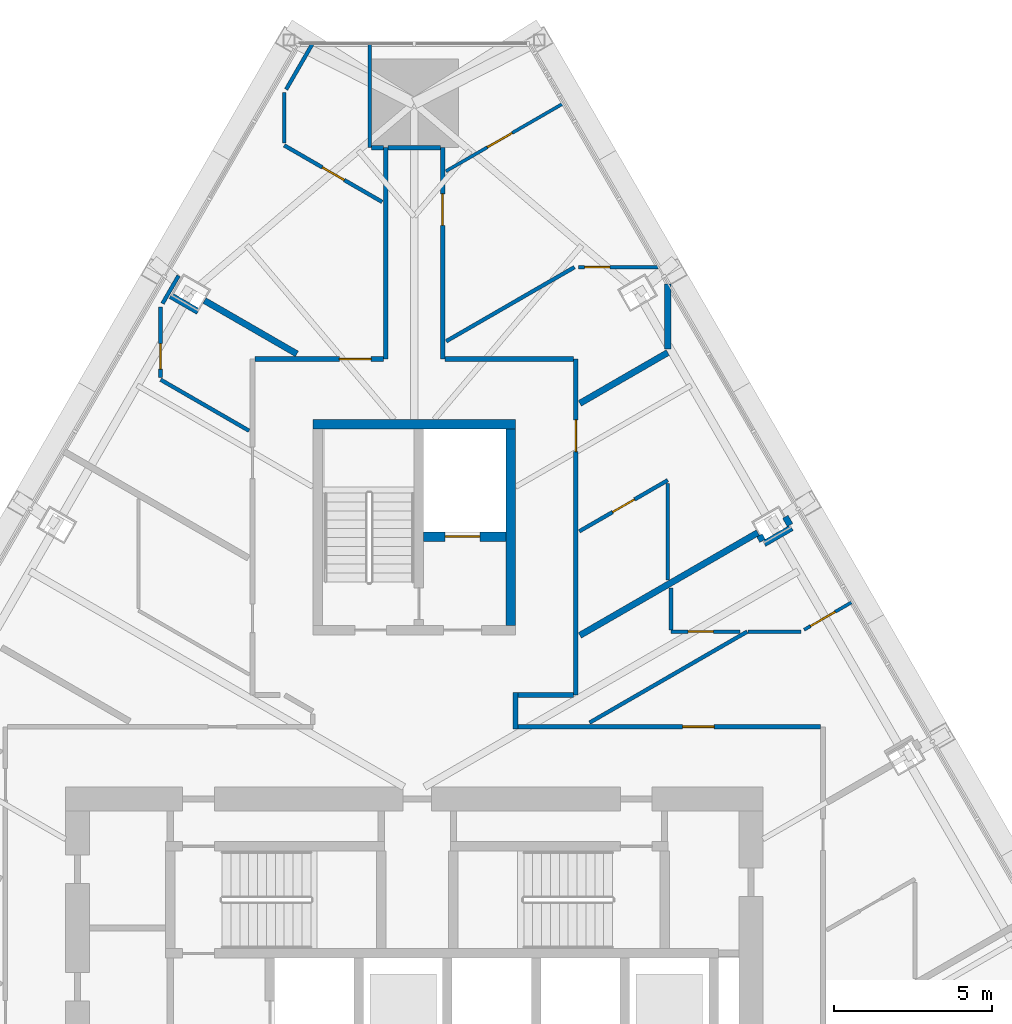
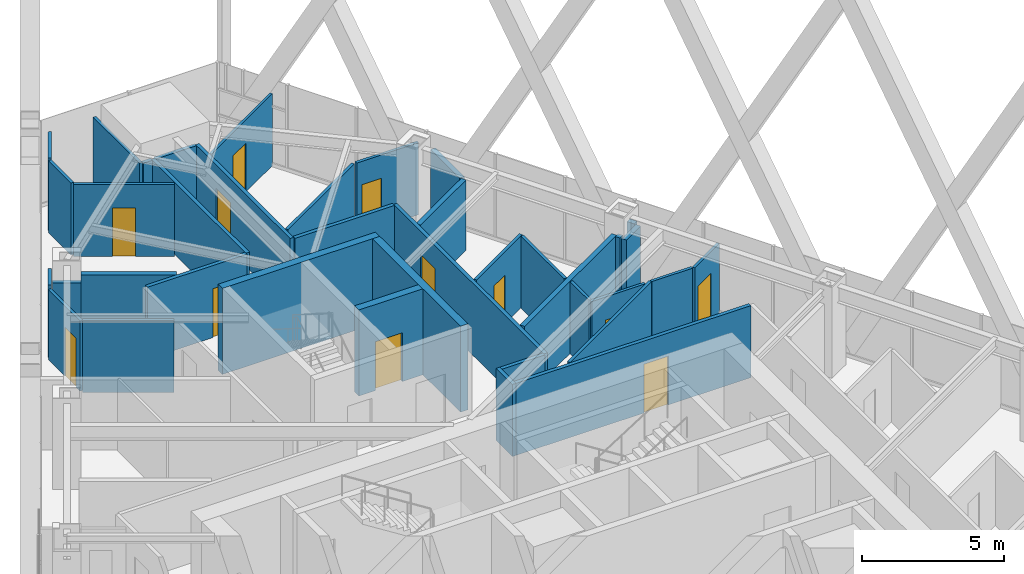
# One storey, part 16 of 19: 38 walls, 12 doors, 12 openings.
"""IFC4 building model written with IfcOpenShell, lengths in metres."""

from ifc_helpers import new_model, si_unit, direction, frame, frame_2d, origin, place, context, subcontext, project, spatial, rectangle, extrude, material, layer, layer_set, type_object, element, fill, save


model = new_model("IFC4")

# Units and contexts
model_context = context("Model", 3, precision=1e-05, world=origin(), true_north=direction((0.0, 1.0)))
body_context = subcontext(model_context, "Body", "Model", "MODEL_VIEW")
ifc_project = project(units=[si_unit("LENGTHUNIT", "METRE"), si_unit("AREAUNIT", "SQUARE_METRE"), si_unit("VOLUMEUNIT", "CUBIC_METRE"), si_unit("PLANEANGLEUNIT", "RADIAN"), si_unit("MASSUNIT", "GRAM", prefix="KILO")], contexts=[model_context])

# Site, building, storey
site_placement = place(None, origin())
site = spatial("IfcSite", under=ifc_project, at=site_placement, CompositionType="ELEMENT")
building_placement = place(site_placement, origin())
building = spatial("IfcBuilding", under=site, at=building_placement, Name="Firuza Gate Tower and Library", CompositionType="ELEMENT")
storey_placement = place(building_placement, frame((0.0, 0.0, 218.199951171875)))
storey = spatial("IfcBuildingStorey", under=building, at=storey_placement, Name="L51", CompositionType="ELEMENT", Elevation=218.199951171875)

# Walls
ifc_material_1 = material(Name="Concrete C80/95", Category="concrete")
ifc_layer_1 = layer(ifc_material_1, 0.300048828125)
ifc_layer_set_1 = layer_set([ifc_layer_1], Name="Core wall 300 C80/95")
wall_type_1 = type_object("IfcWallType", Name="Core wall 300 C80/95", PredefinedType="SHEAR", material=ifc_layer_set_1)
wall_1_placement = place(storey_placement, frame((71.800048828125, 94.449951171875, 0.0), z_axis=(0.0, 0.0, 1.0), x_axis=(1.0, 0.0, 0.0)))
element("IfcWall", 1, at=wall_1_placement, inside=storey, type_object=wall_type_1, Name="Core wall L51 28", PredefinedType="SHEAR", context=body_context, shape_type="SweptSolid", body=[
    extrude(rectangle(XDim=6.39990234375, YDim=0.300048828125, at=frame_2d((3.199951171875, 0.0))), origin(), (0.0, 0.0, 1.0), 3.699951171875),
])
wall_2_placement = place(storey_placement, frame((78.050048828125, 88.10009765625, 0.0), z_axis=(0.0, 0.0, 1.0), x_axis=(0.0, 1.0, 0.0)))
element("IfcWall", 2, at=wall_2_placement, inside=storey, type_object=wall_type_1, Name="Core wall L51 30", PredefinedType="SHEAR", context=body_context, shape_type="SweptSolid", body=[
    extrude(rectangle(XDim=6.199951171875, YDim=0.300048828125, at=frame_2d((3.10009765625, 0.0))), origin(), (0.0, 0.0, 1.0), 3.699951171875),
])

# Wall, opening, door
wall_3_placement = place(storey_placement, frame((75.300048828125, 90.89990234375, 0.0), z_axis=(0.0, 0.0, 1.0), x_axis=(1.0, 0.0, 0.0)))
wall_3 = element("IfcWall", 3, at=wall_3_placement, inside=storey, type_object=wall_type_1, Name="Core wall L51 31", PredefinedType="SHEAR", context=body_context, shape_type="SweptSolid", body=[
    extrude(rectangle(XDim=2.599853515625, YDim=0.300048828125, at=frame_2d((1.2998046875, 0.0))), origin(), (0.0, 0.0, 1.0), 3.699951171875),
])
opening_1_placement = place(wall_3_placement, frame((0.675048828125, 0.0, 0.0)))
opening_1 = element("IfcOpeningElement", 4, at=opening_1_placement, cuts=wall_3, Name="Opening LD-SV1-L51", PredefinedType="OPENING", context=body_context, shape_type="SweptSolid", body=[
    extrude(rectangle(XDim=1.10009765625, YDim=2.10009765625, at=frame_2d((0.550048828125, 1.050048828125))), frame((0.0, 0.16015625, 0.0), z_axis=(0.0, -1.0, 0.0), x_axis=(1.0, 0.0, 0.0)), (0.0, 0.0, 1.0), 0.320068359375),
])
ifc_material_2 = material(Name="Stainless steel", Category="steel")
door_type_1 = type_object("IfcDoorType", Name="Lift landing door 1100x2100", OperationType="DOUBLE_DOOR_SLIDING", PredefinedType="DOOR", material=ifc_material_2)
door_1_placement = place(opening_1_placement, origin())
door_1 = element("IfcDoor", 5, at=door_1_placement, inside=storey, type_object=door_type_1, Name="Landing door SV1 L51", OperationType="DOUBLE_DOOR_SLIDING", OverallHeight=2.10009765625, OverallWidth=1.10009765625, PredefinedType="DOOR", context=body_context, shape_type="SweptSolid", body=[
    extrude(rectangle(XDim=1.10009765625, YDim=2.10009765625, at=frame_2d((0.550048828125, 1.050048828125))), frame((0.0, 0.02490234375, 0.0), z_axis=(0.0, -1.0, 0.0), x_axis=(1.0, 0.0, 0.0)), (0.0, 0.0, 1.0), 0.050048828125),
])
fill(opening_1, door_1)

ifc_material_3 = material(Name="Gypsum board partition")
ifc_layer_2 = layer(ifc_material_3, 0.14990234375)
ifc_layer_set_2 = layer_set([ifc_layer_2], Name="Corridor wall 150 double board on steel studs")
wall_type_2 = type_object("IfcWallType", Name="Corridor wall 150 double board on steel studs", PredefinedType="PARTITIONING", material=ifc_layer_set_2)
wall_4_placement = place(storey_placement, frame((78.27490234375, 84.89990234375, 0.0), z_axis=(0.0, 0.0, 1.0), x_axis=(1.0, 0.0, 0.0)))
wall_4 = element("IfcWall", 6, at=wall_4_placement, inside=storey, type_object=wall_type_2, Name="f:L51:w010", PredefinedType="PARTITIONING", context=body_context, shape_type="SweptSolid", body=[
    extrude(rectangle(XDim=9.550048828125, YDim=0.14990234375, at=frame_2d((4.77490234375, 0.0))), origin(), (0.0, 0.0, 1.0), 3.09716796875),
])
opening_2_placement = place(wall_4_placement, frame((5.190673828125, 0.0, 0.0)))
opening_2 = element("IfcOpeningElement", 7, at=opening_2_placement, cuts=wall_4, Name="Opening L51-12", PredefinedType="OPENING", context=body_context, shape_type="SweptSolid", body=[
    extrude(rectangle(XDim=1.0, YDim=2.10009765625, at=frame_2d((0.5, 1.050048828125))), frame((0.0, 0.0849609375, 0.0), z_axis=(0.0, -1.0, 0.0), x_axis=(1.0, 0.0, 0.0)), (0.0, 0.0, 1.0), 0.169921875),
])
ifc_material_4 = material(Name="Steel door and timber leaf", Category="steel")
door_type_2 = type_object("IfcDoorType", Name="Fire door 1000 x 2100 steel frame, timber leaf", OperationType="NOTDEFINED", PredefinedType="DOOR", material=ifc_material_4)
door_2_placement = place(opening_2_placement, origin())
door_2 = element("IfcDoor", 8, at=door_2_placement, inside=storey, type_object=door_type_2, Name="f:L51:d012", OperationType="SINGLE_SWING_RIGHT", OverallHeight=2.10009765625, OverallWidth=1.0, PredefinedType="DOOR", context=body_context, shape_type="SweptSolid", body=[
    extrude(rectangle(XDim=1.0, YDim=2.10009765625, at=frame_2d((0.5, 1.050048828125))), frame((0.0, 0.02490234375, 0.0), z_axis=(0.0, -1.0, 0.0), x_axis=(1.0, 0.0, 0.0)), (0.0, 0.0, 1.0), 0.050048828125),
])
fill(opening_2, door_2)

# Wall
wall_5_placement = place(storey_placement, frame((78.27490234375, 85.89990234375, 0.0), z_axis=(0.0, 0.0, 1.0), x_axis=(1.0, 0.0, 0.0)))
element("IfcWall", 9, at=wall_5_placement, inside=storey, type_object=wall_type_2, Name="f:L51:w012", PredefinedType="PARTITIONING", context=body_context, shape_type="SweptSolid", body=[
    extrude(rectangle(XDim=1.75, YDim=0.14990234375, at=frame_2d((0.875, 0.0))), origin(), (0.0, 0.0, 1.0), 3.09716796875),
])

# Wall, opening, door
wall_6_placement = place(storey_placement, frame((69.97509765625, 96.5, 0.0), z_axis=(0.0, 0.0, 1.0), x_axis=(1.0, 0.0, 0.0)))
wall_6 = element("IfcWall", 10, at=wall_6_placement, inside=storey, type_object=wall_type_2, Name="f:L51:w014", PredefinedType="PARTITIONING", context=body_context, shape_type="SweptSolid", body=[
    extrude(rectangle(XDim=4.0498046875, YDim=0.14990234375, at=frame_2d((2.02490234375, 0.0))), origin(), (0.0, 0.0, 1.0), 3.10009765625),
])
opening_3_placement = place(wall_6_placement, frame((2.662841796875, 0.0, 0.0)))
opening_3 = element("IfcOpeningElement", 11, at=opening_3_placement, cuts=wall_6, Name="Opening L51-14", PredefinedType="OPENING", context=body_context, shape_type="SweptSolid", body=[
    extrude(rectangle(XDim=1.0, YDim=2.10009765625, at=frame_2d((0.5, 1.050048828125))), frame((0.0, 0.0849609375, 0.0), z_axis=(0.0, -1.0, 0.0), x_axis=(1.0, 0.0, 0.0)), (0.0, 0.0, 1.0), 0.169921875),
])
door_3_placement = place(opening_3_placement, origin())
door_3 = element("IfcDoor", 12, at=door_3_placement, inside=storey, type_object=door_type_2, Name="f:L51:d014", OperationType="SINGLE_SWING_RIGHT", OverallHeight=2.10009765625, OverallWidth=1.0, PredefinedType="DOOR", context=body_context, shape_type="SweptSolid", body=[
    extrude(rectangle(XDim=1.0, YDim=2.10009765625, at=frame_2d((0.5, 1.050048828125))), frame((0.0, 0.02490234375, 0.0), z_axis=(0.0, -1.0, 0.0), x_axis=(1.0, 0.0, 0.0)), (0.0, 0.0, 1.0), 0.050048828125),
])
fill(opening_3, door_3)

# Walls
wall_7_placement = place(storey_placement, frame((75.97509765625, 96.5, 0.0), z_axis=(0.0, 0.0, 1.0), x_axis=(1.0, 0.0, 0.0)))
element("IfcWall", 13, at=wall_7_placement, inside=storey, type_object=wall_type_2, Name="f:L51:w015", PredefinedType="PARTITIONING", context=body_context, shape_type="SweptSolid", body=[
    extrude(rectangle(XDim=4.04931640625, YDim=0.14990234375, at=frame_2d((2.024658203125, 0.0))), origin(), (0.0, 0.0, 1.0), 3.10009765625),
])
wall_8_placement = place(storey_placement, frame((73.660400390625, 103.169921875, 0.0), z_axis=(0.0, 0.0, 1.0), x_axis=(1.0, 0.0, 0.0)))
element("IfcWall", 14, at=wall_8_placement, inside=storey, type_object=wall_type_2, Name="f:L51:w017", PredefinedType="PARTITIONING", context=body_context, shape_type="SweptSolid", body=[
    extrude(rectangle(XDim=0.364501953125, YDim=0.14990234375, at=frame_2d((0.18212890625, 0.0))), origin(), (0.0, 0.0, 1.0), 3.10009765625),
])

# Wall, opening, door
wall_9_placement = place(storey_placement, frame((80.10009765625, 96.49951171875, 0.0), z_axis=(0.0, 0.0, 1.0), x_axis=(0.0, -1.0, 0.0)))
wall_9 = element("IfcWall", 15, at=wall_9_placement, inside=storey, type_object=wall_type_2, Name="f:L51:w063", PredefinedType="PARTITIONING", context=body_context, shape_type="SweptSolid", body=[
    extrude(rectangle(XDim=10.599609375, YDim=0.14990234375, at=frame_2d((5.2998046875, 0.0))), origin(), (0.0, 0.0, 1.0), 3.09716796875),
])
opening_4_placement = place(wall_9_placement, frame((1.920166015625, 0.0, 0.0)))
opening_4 = element("IfcOpeningElement", 16, at=opening_4_placement, cuts=wall_9, Name="Opening L51-32", PredefinedType="OPENING", context=body_context, shape_type="SweptSolid", body=[
    extrude(rectangle(XDim=1.0, YDim=2.10009765625, at=frame_2d((0.5, 1.050048828125))), frame((0.0, 0.0849609375, 0.0), z_axis=(0.0, -1.0, 0.0), x_axis=(1.0, 0.0, 0.0)), (0.0, 0.0, 1.0), 0.169921875),
])
door_4_placement = place(opening_4_placement, origin())
door_4 = element("IfcDoor", 17, at=door_4_placement, inside=storey, type_object=door_type_2, Name="f:L51:d032", OperationType="SINGLE_SWING_RIGHT", OverallHeight=2.10009765625, OverallWidth=1.0, PredefinedType="DOOR", context=body_context, shape_type="SweptSolid", body=[
    extrude(rectangle(XDim=1.0, YDim=2.10009765625, at=frame_2d((0.5, 1.050048828125))), frame((0.0, 0.02490234375, 0.0), z_axis=(0.0, -1.0, 0.0), x_axis=(1.0, 0.0, 0.0)), (0.0, 0.0, 1.0), 0.050048828125),
])
fill(opening_4, door_4)

# Wall
wall_10_placement = place(storey_placement, frame((78.199951171875, 84.824951171875, 0.0), z_axis=(0.0, 0.0, 1.0), x_axis=(0.0, 1.0, 0.0)))
element("IfcWall", 18, at=wall_10_placement, inside=storey, type_object=wall_type_2, Name="f:L51:w065", PredefinedType="PARTITIONING", context=body_context, shape_type="SweptSolid", body=[
    extrude(rectangle(XDim=1.150146484375, YDim=0.14990234375, at=frame_2d((0.5751953125, 0.0))), origin(), (0.0, 0.0, 1.0), 3.10009765625),
])

# Wall, opening, door
wall_11_placement = place(storey_placement, frame((75.89990234375, 103.169189453125, 0.0), z_axis=(0.0, 0.0, 1.0), x_axis=(0.0, -1.0, 0.0)))
wall_11 = element("IfcWall", 19, at=wall_11_placement, inside=storey, type_object=wall_type_2, Name="f:L51:w067", PredefinedType="PARTITIONING", context=body_context, shape_type="SweptSolid", body=[
    extrude(rectangle(XDim=6.669189453125, YDim=0.14990234375, at=frame_2d((3.33447265625, 0.0))), origin(), (0.0, 0.0, 1.0), 3.10009765625),
])
opening_5_placement = place(wall_11_placement, frame((1.452392578125, 0.0, 0.0)))
opening_5 = element("IfcOpeningElement", 20, at=opening_5_placement, cuts=wall_11, Name="Opening L51-33", PredefinedType="OPENING", context=body_context, shape_type="SweptSolid", body=[
    extrude(rectangle(XDim=1.0, YDim=2.10009765625, at=frame_2d((0.5, 1.050048828125))), frame((0.0, 0.0849609375, 0.0), z_axis=(0.0, -1.0, 0.0), x_axis=(1.0, 0.0, 0.0)), (0.0, 0.0, 1.0), 0.169921875),
])
door_5_placement = place(opening_5_placement, origin())
door_5 = element("IfcDoor", 21, at=door_5_placement, inside=storey, type_object=door_type_2, Name="f:L51:d033", OperationType="SINGLE_SWING_RIGHT", OverallHeight=2.10009765625, OverallWidth=1.0, PredefinedType="DOOR", context=body_context, shape_type="SweptSolid", body=[
    extrude(rectangle(XDim=1.0, YDim=2.10009765625, at=frame_2d((0.5, 1.050048828125))), frame((0.0, 0.02490234375, 0.0), z_axis=(0.0, -1.0, 0.0), x_axis=(1.0, 0.0, 0.0)), (0.0, 0.0, 1.0), 0.050048828125),
])
fill(opening_5, door_5)

# Walls
wall_12_placement = place(storey_placement, frame((74.10009765625, 96.5, 0.0), z_axis=(0.0, 0.0, 1.0), x_axis=(0.0, 1.0, 0.0)))
element("IfcWall", 22, at=wall_12_placement, inside=storey, type_object=wall_type_2, Name="f:L51:w070", PredefinedType="PARTITIONING", context=body_context, shape_type="SweptSolid", body=[
    extrude(rectangle(XDim=6.669677734375, YDim=0.14990234375, at=frame_2d((3.3349609375, 0.0))), origin(), (0.0, 0.0, 1.0), 3.10009765625),
])
wall_13_placement = place(storey_placement, frame((74.175048828125, 103.169921875, 0.0), z_axis=(0.0, 0.0, 1.0), x_axis=(1.0, 0.0, 0.0)))
element("IfcWall", 23, at=wall_13_placement, inside=storey, type_object=wall_type_2, Name="f:L51:w120", PredefinedType="PARTITIONING", context=body_context, shape_type="SweptSolid", body=[
    extrude(rectangle(XDim=1.6494140625, YDim=0.14990234375, at=frame_2d((0.82470703125, 0.0))), origin(), (0.0, 0.0, 1.0), 3.09716796875),
])
ifc_material_5 = material(Name="Gypsum board partition")
ifc_layer_3 = layer(ifc_material_5, 0.199951171875)
ifc_layer_set_3 = layer_set([ifc_layer_3], Name="Demising wall 200 acoustic double stud")
wall_type_3 = type_object("IfcWallType", Name="Demising wall 200 acoustic double stud", PredefinedType="PARTITIONING", material=ifc_layer_set_3)
wall_14_placement = place(storey_placement, frame((86.04345703125, 90.67822265625, 0.0), z_axis=(0.0, 0.0, 1.0), x_axis=(0.866039090965, 0.499976292358, 0.0)))
element("IfcWall", 24, at=wall_14_placement, inside=storey, type_object=wall_type_3, Name="f:L51:w037", PredefinedType="PARTITIONING", context=body_context, shape_type="SweptSolid", body=[
    extrude(rectangle(XDim=0.9990234375, YDim=0.199951171875, at=frame_2d((0.49951171875, 0.0))), origin(), (0.0, 0.0, 1.0), 3.02197265625),
])
wall_15_placement = place(storey_placement, frame((80.226806640625, 87.781982421875, 0.0), z_axis=(0.0, 0.0, 1.0), x_axis=(0.866028841934, 0.499994044904, 0.0)))
element("IfcWall", 25, at=wall_15_placement, inside=storey, type_object=wall_type_3, Name="f:L51:w038", PredefinedType="PARTITIONING", context=body_context, shape_type="SweptSolid", body=[
    extrude(rectangle(XDim=6.484375, YDim=0.199951171875, at=frame_2d((3.2421875, 0.0))), origin(), (0.0, 0.0, 1.0), 3.10009765625),
])
wall_16_placement = place(storey_placement, frame((80.22705078125, 95.10400390625, 0.0), z_axis=(0.0, 0.0, 1.0), x_axis=(0.866029421769, 0.499993040581, 0.0)))
element("IfcWall", 26, at=wall_16_placement, inside=storey, type_object=wall_type_3, Name="f:L51:w040", PredefinedType="PARTITIONING", context=body_context, shape_type="SweptSolid", body=[
    extrude(rectangle(XDim=3.2021484375, YDim=0.199951171875, at=frame_2d((1.60107421875, 0.0))), origin(), (0.0, 0.0, 1.0), 3.02197265625),
])
wall_17_placement = place(storey_placement, frame((83.0, 96.82080078125, 0.0), z_axis=(0.0, 0.0, 1.0), x_axis=(0.0, 1.0, 0.0)))
element("IfcWall", 27, at=wall_17_placement, inside=storey, type_object=wall_type_3, Name="f:L51:w061", PredefinedType="PARTITIONING", context=body_context, shape_type="SweptSolid", body=[
    extrude(rectangle(XDim=2.0478515625, YDim=0.199951171875, at=frame_2d((1.02392578125, 0.0))), origin(), (0.0, 0.0, 1.0), 3.02197265625),
])
wall_18_placement = place(storey_placement, frame((86.858642578125, 91.264404296875, 0.0), z_axis=(0.0, 0.0, 1.0), x_axis=(-0.500264001326, 0.865872928886, 0.0)))
element("IfcWall", 28, at=wall_18_placement, inside=storey, type_object=wall_type_3, Name="f:L51:w089", PredefinedType="PARTITIONING", context=body_context, shape_type="SweptSolid", body=[
    extrude(rectangle(XDim=0.299072265625, YDim=0.199951171875, at=frame_2d((0.1494140625, 0.0))), origin(), (0.0, 0.0, 1.0), 3.10009765625),
])
wall_19_placement = place(storey_placement, frame((85.99267578125, 90.764404296875, 0.0), z_axis=(0.0, 0.0, 1.0), x_axis=(-0.500359323436, 0.865817848887, 0.0)))
element("IfcWall", 29, at=wall_19_placement, inside=storey, type_object=wall_type_3, Name="f:L51:w091", PredefinedType="PARTITIONING", context=body_context, shape_type="SweptSolid", body=[
    extrude(rectangle(XDim=0.198974609375, YDim=0.199951171875, at=frame_2d((0.099609375, 0.0))), origin(), (0.0, 0.0, 1.0), 3.10009765625),
])
wall_20_placement = place(storey_placement, frame((71.297607421875, 96.664794921875, 0.0), z_axis=(0.0, 0.0, 1.0), x_axis=(-0.866023625329, 0.500003080363, 0.0)))
element("IfcWall", 30, at=wall_20_placement, inside=storey, type_object=wall_type_3, Name="f:L51:w095", PredefinedType="PARTITIONING", context=body_context, shape_type="SweptSolid", body=[
    extrude(rectangle(XDim=3.36376953125, YDim=0.199951171875, at=frame_2d((1.681884765625, 0.0))), origin(), (0.0, 0.0, 1.0), 3.10009765625),
])
wall_21_placement = place(storey_placement, frame((68.1845703125, 98.000244140625, 0.0), z_axis=(0.0, 0.0, 1.0), x_axis=(-0.866071776036, 0.499919672301, 0.0)))
element("IfcWall", 31, at=wall_21_placement, inside=storey, type_object=wall_type_3, Name="f:L51:w096", PredefinedType="PARTITIONING", context=body_context, shape_type="SweptSolid", body=[
    extrude(rectangle(XDim=1.000244140625, YDim=0.199951171875, at=frame_2d((0.5, 0.0))), origin(), (0.0, 0.0, 1.0), 3.02197265625),
])

# Wall, opening, door
ifc_material_6 = material(Name="Gypsum board partition")
ifc_layer_4 = layer(ifc_material_6, 0.10009765625)
ifc_layer_set_4 = layer_set([ifc_layer_4], Name="Partition 100 gypsum board on steel studs")
wall_type_4 = type_object("IfcWallType", Name="Partition 100 gypsum board on steel studs", PredefinedType="PARTITIONING", material=ifc_layer_set_4)
wall_22_placement = place(storey_placement, frame((87.30078125, 87.959716796875, 0.0), z_axis=(0.0, 0.0, 1.0), x_axis=(0.866002256377, 0.500040090343, 0.0)))
wall_22 = element("IfcWall", 32, at=wall_22_placement, inside=storey, type_object=wall_type_4, Name="f:L51:w035", PredefinedType="PARTITIONING", context=body_context, shape_type="SweptSolid", body=[
    extrude(rectangle(XDim=1.729736328125, YDim=0.10009765625, at=frame_2d((0.86474609375, 0.0))), origin(), (0.0, 0.0, 1.0), 3.02197265625),
])
opening_6_placement = place(wall_22_placement, frame((0.23486328125, 0.0, 0.0)))
opening_6 = element("IfcOpeningElement", 33, at=opening_6_placement, cuts=wall_22, Name="Opening L51-27", PredefinedType="OPENING", context=body_context, shape_type="SweptSolid", body=[
    extrude(rectangle(XDim=0.89990234375, YDim=2.10009765625, at=frame_2d((0.449951171875, 1.050048828125))), frame((0.0, 0.06005859375, 0.0), z_axis=(0.0, -1.0, 0.0), x_axis=(1.0, 0.0, 0.0)), (0.0, 0.0, 1.0), 0.1201171875),
])
ifc_material_7 = material(Name="Timber door", Category="wood")
door_type_3 = type_object("IfcDoorType", Name="Door 900 x 2100 timber leaf", OperationType="NOTDEFINED", PredefinedType="DOOR", material=ifc_material_7)
door_6_placement = place(opening_6_placement, origin())
door_6 = element("IfcDoor", 34, at=door_6_placement, inside=storey, type_object=door_type_3, Name="f:L51:d027", OperationType="SINGLE_SWING_LEFT", OverallHeight=2.10009765625, OverallWidth=0.89990234375, PredefinedType="DOOR", context=body_context, shape_type="SweptSolid", body=[
    extrude(rectangle(XDim=0.89990234375, YDim=2.10009765625, at=frame_2d((0.449951171875, 1.050048828125))), frame((0.0, 0.02490234375, 0.0), z_axis=(0.0, -1.0, 0.0), x_axis=(1.0, 0.0, 0.0)), (0.0, 0.0, 1.0), 0.050048828125),
])
fill(opening_6, door_6)

wall_23_placement = place(storey_placement, frame((79.708984375, 104.569091796875, 0.0), z_axis=(0.0, 0.0, 1.0), x_axis=(-0.866020364144, -0.500008728811, 0.0)))
wall_23 = element("IfcWall", 35, at=wall_23_placement, inside=storey, type_object=wall_type_4, Name="f:L51:w042", PredefinedType="PARTITIONING", context=body_context, shape_type="SweptSolid", body=[
    extrude(rectangle(XDim=4.28173828125, YDim=0.10009765625, at=frame_2d((2.140869140625, 0.0))), origin(), (0.0, 0.0, 1.0), 3.10009765625),
])
opening_7_placement = place(wall_23_placement, frame((1.870849609375, 0.0, 0.0)))
opening_7 = element("IfcOpeningElement", 36, at=opening_7_placement, cuts=wall_23, Name="Opening L51-29", PredefinedType="OPENING", context=body_context, shape_type="SweptSolid", body=[
    extrude(rectangle(XDim=0.89990234375, YDim=2.10009765625, at=frame_2d((0.449951171875, 1.050048828125))), frame((0.0, 0.06005859375, 0.0), z_axis=(0.0, -1.0, 0.0), x_axis=(1.0, 0.0, 0.0)), (0.0, 0.0, 1.0), 0.1201171875),
])
door_7_placement = place(opening_7_placement, origin())
door_7 = element("IfcDoor", 37, at=door_7_placement, inside=storey, type_object=door_type_3, Name="f:L51:d029", OperationType="SINGLE_SWING_RIGHT", OverallHeight=2.10009765625, OverallWidth=0.89990234375, PredefinedType="DOOR", context=body_context, shape_type="SweptSolid", body=[
    extrude(rectangle(XDim=0.89990234375, YDim=2.10009765625, at=frame_2d((0.449951171875, 1.050048828125))), frame((0.0, 0.02490234375, 0.0), z_axis=(0.0, -1.0, 0.0), x_axis=(1.0, 0.0, 0.0)), (0.0, 0.0, 1.0), 0.050048828125),
])
fill(opening_7, door_7)

ifc_material_8 = material(Name="Gypsum board partition")
ifc_layer_5 = layer(ifc_material_8, 0.1201171875)
ifc_layer_set_5 = layer_set([ifc_layer_5], Name="Wet-area partition 120 moisture-resistant board")
wall_type_5 = type_object("IfcWallType", Name="Wet-area partition 120 moisture-resistant board", PredefinedType="PARTITIONING", material=ifc_layer_set_5)
wall_24_placement = place(storey_placement, frame((85.28125, 87.89990234375, 0.0), z_axis=(0.0, 0.0, 1.0), x_axis=(-1.0, 0.0, 0.0)))
wall_24 = element("IfcWall", 38, at=wall_24_placement, inside=storey, type_object=wall_type_5, Name="f:L51:w013", PredefinedType="PARTITIONING", context=body_context, shape_type="SweptSolid", body=[
    extrude(rectangle(XDim=2.18115234375, YDim=0.1201171875, at=frame_2d((1.090576171875, 0.0))), origin(), (0.0, 0.0, 1.0), 3.09716796875),
])
opening_8_placement = place(wall_24_placement, frame((0.840576171875, 0.0, 0.0)))
opening_8 = element("IfcOpeningElement", 39, at=opening_8_placement, cuts=wall_24, Name="Opening L51-13", PredefinedType="OPENING", context=body_context, shape_type="SweptSolid", body=[
    extrude(rectangle(XDim=0.800048828125, YDim=2.10009765625, at=frame_2d((0.39990234375, 1.050048828125))), frame((0.0, 0.070068359375, 0.0), z_axis=(0.0, -1.0, 0.0), x_axis=(1.0, 0.0, 0.0)), (0.0, 0.0, 1.0), 0.14013671875),
])
ifc_material_9 = material(Name="Timber door", Category="wood")
door_type_4 = type_object("IfcDoorType", Name="Door 800 x 2100 timber leaf", OperationType="NOTDEFINED", PredefinedType="DOOR", material=ifc_material_9)
door_8_placement = place(opening_8_placement, origin())
door_8 = element("IfcDoor", 40, at=door_8_placement, inside=storey, type_object=door_type_4, Name="f:L51:d013", OperationType="SINGLE_SWING_LEFT", OverallHeight=2.10009765625, OverallWidth=0.800048828125, PredefinedType="DOOR", context=body_context, shape_type="SweptSolid", body=[
    extrude(rectangle(XDim=0.800048828125, YDim=2.10009765625, at=frame_2d((0.39990234375, 1.050048828125))), frame((0.0, 0.02490234375, 0.0), z_axis=(0.0, -1.0, 0.0), x_axis=(1.0, 0.0, 0.0)), (0.0, 0.0, 1.0), 0.050048828125),
])
fill(opening_8, door_8)

wall_25_placement = place(storey_placement, frame((82.693359375, 99.39990234375, 0.0), z_axis=(0.0, 0.0, 1.0), x_axis=(-1.0, 0.0, 0.0)))
wall_25 = element("IfcWall", 41, at=wall_25_placement, inside=storey, type_object=wall_type_5, Name="f:L51:w016", PredefinedType="PARTITIONING", context=body_context, shape_type="SweptSolid", body=[
    extrude(rectangle(XDim=2.51611328125, YDim=0.1201171875, at=frame_2d((1.258056640625, 0.0))), origin(), (0.0, 0.0, 1.0), 3.10009765625),
])
opening_9_placement = place(wall_25_placement, frame((1.515869140625, 0.0, 0.0)))
opening_9 = element("IfcOpeningElement", 42, at=opening_9_placement, cuts=wall_25, Name="Opening L51-15", PredefinedType="OPENING", context=body_context, shape_type="SweptSolid", body=[
    extrude(rectangle(XDim=0.800048828125, YDim=2.10009765625, at=frame_2d((0.39990234375, 1.050048828125))), frame((0.0, 0.070068359375, 0.0), z_axis=(0.0, -1.0, 0.0), x_axis=(1.0, 0.0, 0.0)), (0.0, 0.0, 1.0), 0.14013671875),
])
door_9_placement = place(opening_9_placement, origin())
door_9 = element("IfcDoor", 43, at=door_9_placement, inside=storey, type_object=door_type_4, Name="f:L51:d015", OperationType="SINGLE_SWING_LEFT", OverallHeight=2.10009765625, OverallWidth=0.800048828125, PredefinedType="DOOR", context=body_context, shape_type="SweptSolid", body=[
    extrude(rectangle(XDim=0.800048828125, YDim=2.10009765625, at=frame_2d((0.39990234375, 1.050048828125))), frame((0.0, 0.02490234375, 0.0), z_axis=(0.0, -1.0, 0.0), x_axis=(1.0, 0.0, 0.0)), (0.0, 0.0, 1.0), 0.050048828125),
])
fill(opening_9, door_9)

# Wall
wall_26_placement = place(storey_placement, frame((80.534423828125, 85.030029296875, 0.0), z_axis=(0.0, 0.0, 1.0), x_axis=(0.866014884179, 0.500018220049, 0.0)))
element("IfcWall", 44, at=wall_26_placement, inside=storey, type_object=wall_type_5, Name="f:L51:w036", PredefinedType="PARTITIONING", context=body_context, shape_type="SweptSolid", body=[
    extrude(rectangle(XDim=5.739990234375, YDim=0.1201171875, at=frame_2d((2.8701171875, 0.0))), origin(), (0.0, 0.0, 1.0), 3.10009765625),
])

# Wall, opening, door
wall_27_placement = place(storey_placement, frame((83.000244140625, 92.677490234375, 0.0), z_axis=(0.0, 0.0, 1.0), x_axis=(-0.866029130051, -0.499993545862, 0.0)))
wall_27 = element("IfcWall", 45, at=wall_27_placement, inside=storey, type_object=wall_type_5, Name="f:L51:w039", PredefinedType="PARTITIONING", context=body_context, shape_type="SweptSolid", body=[
    extrude(rectangle(XDim=3.22216796875, YDim=0.1201171875, at=frame_2d((1.611083984375, 0.0))), origin(), (0.0, 0.0, 1.0), 3.10009765625),
])
opening_10_placement = place(wall_27_placement, frame((1.2109375, 0.0, 0.0)))
opening_10 = element("IfcOpeningElement", 46, at=opening_10_placement, cuts=wall_27, Name="Opening L51-28", PredefinedType="OPENING", context=body_context, shape_type="SweptSolid", body=[
    extrude(rectangle(XDim=0.800048828125, YDim=2.10009765625, at=frame_2d((0.39990234375, 1.050048828125))), frame((0.0, 0.070068359375, 0.0), z_axis=(0.0, -1.0, 0.0), x_axis=(1.0, 0.0, 0.0)), (0.0, 0.0, 1.0), 0.14013671875),
])
door_10_placement = place(opening_10_placement, origin())
door_10 = element("IfcDoor", 47, at=door_10_placement, inside=storey, type_object=door_type_4, Name="f:L51:d028", OperationType="SINGLE_SWING_LEFT", OverallHeight=2.10009765625, OverallWidth=0.800048828125, PredefinedType="DOOR", context=body_context, shape_type="SweptSolid", body=[
    extrude(rectangle(XDim=0.800048828125, YDim=2.10009765625, at=frame_2d((0.39990234375, 1.050048828125))), frame((0.0, 0.02490234375, 0.0), z_axis=(0.0, -1.0, 0.0), x_axis=(1.0, 0.0, 0.0)), (0.0, 0.0, 1.0), 0.050048828125),
])
fill(opening_10, door_10)

# Walls
wall_28_placement = place(storey_placement, frame((76.009765625, 97.06298828125, 0.0), z_axis=(0.0, 0.0, 1.0), x_axis=(0.866045536992, 0.499965126639, 0.0)))
element("IfcWall", 48, at=wall_28_placement, inside=storey, type_object=wall_type_5, Name="f:L51:w041", PredefinedType="PARTITIONING", context=body_context, shape_type="SweptSolid", body=[
    extrude(rectangle(XDim=4.673583984375, YDim=0.1201171875, at=frame_2d((2.3369140625, 0.0))), origin(), (0.0, 0.0, 1.0), 3.10009765625),
])
wall_29_placement = place(storey_placement, frame((67.059814453125, 98.2529296875, 0.0), z_axis=(0.0, 0.0, 1.0), x_axis=(0.499972622635, 0.866041209536, 0.0)))
element("IfcWall", 49, at=wall_29_placement, inside=storey, type_object=wall_type_5, Name="f:L51:w047", PredefinedType="PARTITIONING", context=body_context, shape_type="SweptSolid", body=[
    extrude(rectangle(XDim=1.013671875, YDim=0.1201171875, at=frame_2d((0.5068359375, 0.0))), origin(), (0.0, 0.0, 1.0), 3.10009765625),
])
wall_30_placement = place(storey_placement, frame((70.959716796875, 105.0078125, 0.0), z_axis=(0.0, 0.0, 1.0), x_axis=(0.500057100911, 0.865992434048, 0.0)))
element("IfcWall", 50, at=wall_30_placement, inside=storey, type_object=wall_type_5, Name="f:L51:w048", PredefinedType="PARTITIONING", context=body_context, shape_type="SweptSolid", body=[
    extrude(rectangle(XDim=1.641845703125, YDim=0.1201171875, at=frame_2d((0.82080078125, 0.0))), origin(), (0.0, 0.0, 1.0), 3.10009765625),
])
wall_31_placement = place(storey_placement, frame((83.10009765625, 87.9599609375, 0.0), z_axis=(0.0, 0.0, 1.0), x_axis=(0.0, 1.0, 0.0)))
element("IfcWall", 51, at=wall_31_placement, inside=storey, type_object=wall_type_5, Name="f:L51:w059", PredefinedType="PARTITIONING", context=body_context, shape_type="SweptSolid", body=[
    extrude(rectangle(XDim=1.324951171875, YDim=0.1201171875, at=frame_2d((0.66259765625, 0.0))), origin(), (0.0, 0.0, 1.0), 3.10009765625),
])
wall_32_placement = place(storey_placement, frame((83.0, 89.5380859375, 0.0), z_axis=(0.0, 0.0, 1.0), x_axis=(0.0, 1.0, 0.0)))
element("IfcWall", 52, at=wall_32_placement, inside=storey, type_object=wall_type_5, Name="f:L51:w060", PredefinedType="PARTITIONING", context=body_context, shape_type="SweptSolid", body=[
    extrude(rectangle(XDim=3.030517578125, YDim=0.1201171875, at=frame_2d((1.51513671875, 0.0))), origin(), (0.0, 0.0, 1.0), 3.10009765625),
])
wall_33_placement = place(storey_placement, frame((73.60009765625, 103.170166015625, 0.0), z_axis=(0.0, 0.0, 1.0), x_axis=(0.0, 1.0, 0.0)))
element("IfcWall", 53, at=wall_33_placement, inside=storey, type_object=wall_type_5, Name="f:L51:w071", PredefinedType="PARTITIONING", context=body_context, shape_type="SweptSolid", body=[
    extrude(rectangle(XDim=3.259521484375, YDim=0.1201171875, at=frame_2d((1.6298828125, 0.0))), origin(), (0.0, 0.0, 1.0), 3.10009765625),
])
wall_34_placement = place(storey_placement, frame((70.89990234375, 103.312255859375, 0.0), z_axis=(0.0, 0.0, 1.0), x_axis=(0.0, 1.0, 0.0)))
element("IfcWall", 54, at=wall_34_placement, inside=storey, type_object=wall_type_5, Name="f:L51:w074", PredefinedType="PARTITIONING", context=body_context, shape_type="SweptSolid", body=[
    extrude(rectangle(XDim=1.591552734375, YDim=0.1201171875, at=frame_2d((0.7958984375, 0.0))), origin(), (0.0, 0.0, 1.0), 3.10009765625),
])

# Wall, opening, door
wall_35_placement = place(storey_placement, frame((67.0, 98.148681640625, 0.0), z_axis=(0.0, 0.0, 1.0), x_axis=(0.0, -1.0, 0.0)))
wall_35 = element("IfcWall", 55, at=wall_35_placement, inside=storey, type_object=wall_type_5, Name="f:L51:w077", PredefinedType="PARTITIONING", context=body_context, shape_type="SweptSolid", body=[
    extrude(rectangle(XDim=2.228271484375, YDim=0.1201171875, at=frame_2d((1.1142578125, 0.0))), origin(), (0.0, 0.0, 1.0), 3.02197265625),
])
opening_11_placement = place(wall_35_placement, frame((1.164306640625, 0.0, 0.0)))
opening_11 = element("IfcOpeningElement", 56, at=opening_11_placement, cuts=wall_35, Name="Opening L51-36", PredefinedType="OPENING", context=body_context, shape_type="SweptSolid", body=[
    extrude(rectangle(XDim=0.800048828125, YDim=2.10009765625, at=frame_2d((0.39990234375, 1.050048828125))), frame((0.0, 0.070068359375, 0.0), z_axis=(0.0, -1.0, 0.0), x_axis=(1.0, 0.0, 0.0)), (0.0, 0.0, 1.0), 0.14013671875),
])
door_11_placement = place(opening_11_placement, origin())
door_11 = element("IfcDoor", 57, at=door_11_placement, inside=storey, type_object=door_type_4, Name="f:L51:d036", OperationType="SINGLE_SWING_RIGHT", OverallHeight=2.10009765625, OverallWidth=0.800048828125, PredefinedType="DOOR", context=body_context, shape_type="SweptSolid", body=[
    extrude(rectangle(XDim=0.800048828125, YDim=2.10009765625, at=frame_2d((0.39990234375, 1.050048828125))), frame((0.0, 0.02490234375, 0.0), z_axis=(0.0, -1.0, 0.0), x_axis=(1.0, 0.0, 0.0)), (0.0, 0.0, 1.0), 0.050048828125),
])
fill(opening_11, door_11)

wall_36_placement = place(storey_placement, frame((70.900146484375, 103.242919921875, 0.0), z_axis=(0.0, 0.0, 1.0), x_axis=(0.866028357664, -0.499994883695, 0.0)))
wall_36 = element("IfcWall", 58, at=wall_36_placement, inside=storey, type_object=wall_type_5, Name="f:L51:w094", PredefinedType="PARTITIONING", context=body_context, shape_type="SweptSolid", body=[
    extrude(rectangle(XDim=3.568359375, YDim=0.1201171875, at=frame_2d((1.7841796875, 0.0))), origin(), (0.0, 0.0, 1.0), 3.10009765625),
])
opening_12_placement = place(wall_36_placement, frame((1.38427734375, 0.0, 0.0)))
opening_12 = element("IfcOpeningElement", 59, at=opening_12_placement, cuts=wall_36, Name="Opening L51-41", PredefinedType="OPENING", context=body_context, shape_type="SweptSolid", body=[
    extrude(rectangle(XDim=0.800048828125, YDim=2.10009765625, at=frame_2d((0.39990234375, 1.050048828125))), frame((0.0, 0.070068359375, 0.0), z_axis=(0.0, -1.0, 0.0), x_axis=(1.0, 0.0, 0.0)), (0.0, 0.0, 1.0), 0.14013671875),
])
door_12_placement = place(opening_12_placement, origin())
door_12 = element("IfcDoor", 60, at=door_12_placement, inside=storey, type_object=door_type_4, Name="f:L51:d041", OperationType="SINGLE_SWING_RIGHT", OverallHeight=2.10009765625, OverallWidth=0.800048828125, PredefinedType="DOOR", context=body_context, shape_type="SweptSolid", body=[
    extrude(rectangle(XDim=0.800048828125, YDim=2.10009765625, at=frame_2d((0.39990234375, 1.050048828125))), frame((0.0, 0.02490234375, 0.0), z_axis=(0.0, -1.0, 0.0), x_axis=(1.0, 0.0, 0.0)), (0.0, 0.0, 1.0), 0.050048828125),
])
fill(opening_12, door_12)

# Walls
wall_37_placement = place(storey_placement, frame((69.7900390625, 94.23974609375, 0.0), z_axis=(0.0, 0.0, 1.0), x_axis=(-0.86604299788, 0.499969524894, 0.0)))
element("IfcWall", 61, at=wall_37_placement, inside=storey, type_object=wall_type_5, Name="f:L51:w097", PredefinedType="PARTITIONING", context=body_context, shape_type="SweptSolid", body=[
    extrude(rectangle(XDim=3.221923828125, YDim=0.1201171875, at=frame_2d((1.61083984375, 0.0))), origin(), (0.0, 0.0, 1.0), 3.10009765625),
])
wall_38_placement = place(storey_placement, frame((85.535400390625, 87.89990234375, 0.0), z_axis=(0.0, 0.0, 1.0), x_axis=(1.0, 0.0, 0.0)))
element("IfcWall", 62, at=wall_38_placement, inside=storey, type_object=wall_type_5, Name="f:L51:w119", PredefinedType="PARTITIONING", context=body_context, shape_type="SweptSolid", body=[
    extrude(rectangle(XDim=1.661376953125, YDim=0.1201171875, at=frame_2d((0.83056640625, 0.0))), origin(), (0.0, 0.0, 1.0), 3.10009765625),
])

save(model, "model.ifc")
